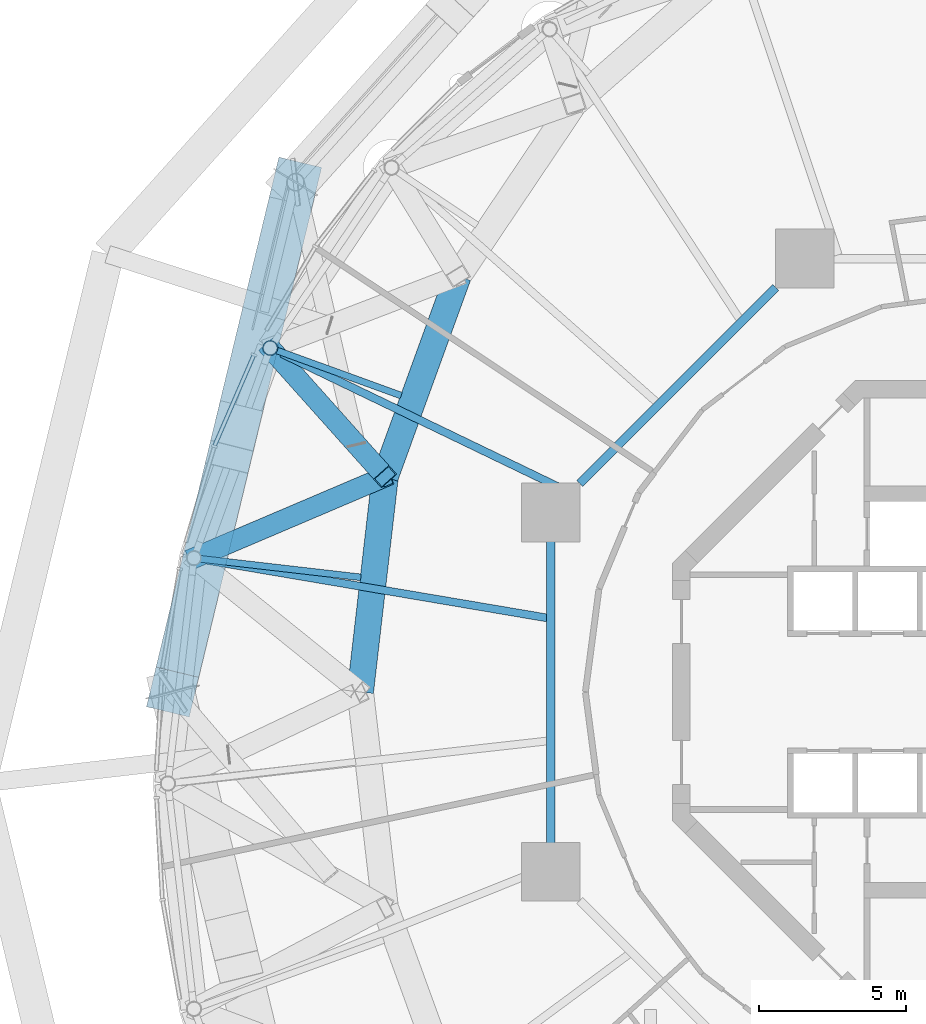
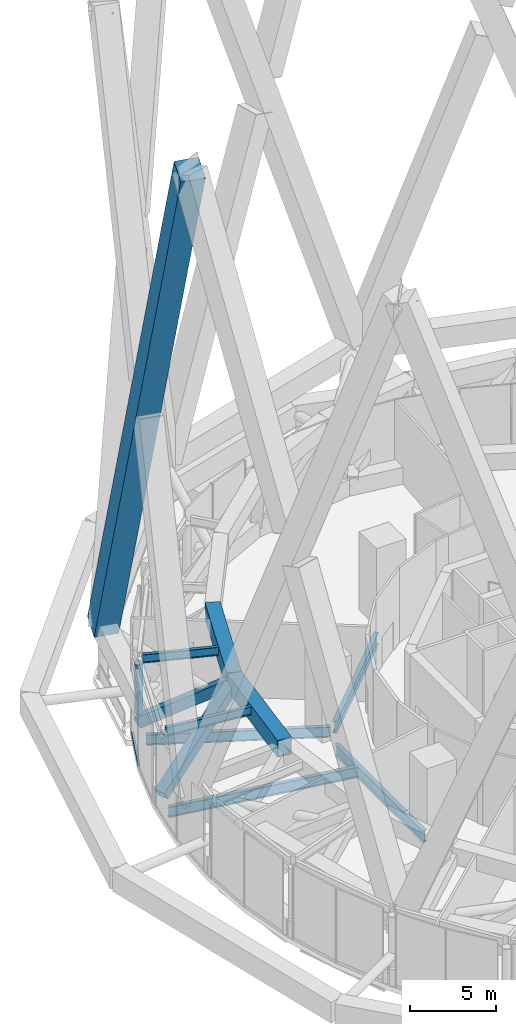
# One storey, part 26 of 49: 10 beams, 3 members, 1 element without a shape of its own.
"""IFC4 building model written with IfcOpenShell, lengths in metres."""

from ifc_helpers import new_model, si_unit, direction, frame, origin, origin_2d, place, context, subcontext, project, spatial, rectangle, hollow_rectangle, hollow_circle, i_section, extrude, material, layer, layer_set, material_profile, profile_set, type_object, element, aggregate, save


model = new_model("IFC4")

# Units and contexts
model_context = context("Model", 3, precision=1e-05, world=origin(), true_north=direction((0.0, 1.0)))
body_context = subcontext(model_context, "Body", "Model", "MODEL_VIEW")
ifc_project = project(units=[si_unit("LENGTHUNIT", "METRE"), si_unit("AREAUNIT", "SQUARE_METRE"), si_unit("VOLUMEUNIT", "CUBIC_METRE"), si_unit("PLANEANGLEUNIT", "RADIAN"), si_unit("MASSUNIT", "GRAM", prefix="KILO")], contexts=[model_context])

# Site, building, storey
site_placement = place(None, origin())
site = spatial("IfcSite", under=ifc_project, at=site_placement, CompositionType="ELEMENT")
building_placement = place(site_placement, origin())
building = spatial("IfcBuilding", under=site, at=building_placement, Name="Nagisa Residences", CompositionType="ELEMENT")
storey_placement = place(building_placement, frame((0.0, 0.0, 160.300048828125)))
storey = spatial("IfcBuildingStorey", under=building, at=storey_placement, Name="L40", CompositionType="ELEMENT", Elevation=160.300048828125)

# Beams
ifc_material_1 = material(Name="Steel ASTM A572 Gr 50", Category="steel")
ifc_material_profile_1 = material_profile(ifc_material_1, hollow_rectangle(XDim=0.89990234375, YDim=1.199951171875, WallThickness=0.044921875, at=origin_2d()), Name="BX 900x1200x45")
ifc_profile_set_1 = profile_set([ifc_material_profile_1], Name="Steel ASTM A572 Gr 50")
beam_type_1 = type_object("IfcBeamType", Name="Belt chord 3 BX 900x1200x45", PredefinedType="BEAM", material=ifc_profile_set_1)
beam_1_placement = place(storey_placement, frame((-17.9423828125, 14.1875, 4.739990234375), z_axis=(-0.341325710829, -0.939945083038, 0.0), x_axis=(0.939945083038, -0.341325710829, 0.0)))
element("IfcBeam", 1, at=beam_1_placement, inside=storey, type_object=beam_type_1, Name="beam:L40:bt3t11", PredefinedType="BEAM", context=body_context, shape_type="SweptSolid", body=[
    extrude(hollow_rectangle(XDim=0.89990234375, YDim=1.199951171875, WallThickness=0.044921875, at=origin_2d()), origin(), (0.0, 0.0, 1.0), 7.28076171875),
])
beam_2_placement = place(storey_placement, frame((-20.427490234375, 7.343994140625, 4.739990234375), z_axis=(-0.114627868433, -0.993408501966, 0.0), x_axis=(0.993408501966, -0.114627868433, 0.0)))
element("IfcBeam", 2, at=beam_2_placement, inside=storey, type_object=beam_type_1, Name="beam:L40:bt3t12", PredefinedType="BEAM", context=body_context, shape_type="SweptSolid", body=[
    extrude(hollow_rectangle(XDim=0.89990234375, YDim=1.199951171875, WallThickness=0.044921875, at=origin_2d()), origin(), (0.0, 0.0, 1.0), 7.392822265625),
])
ifc_material_2 = material(Name="Steel ASTM A572 Gr 50", Category="steel")
ifc_material_profile_2 = material_profile(ifc_material_2, hollow_rectangle(XDim=0.699951171875, YDim=0.699951171875, WallThickness=0.0400390625, at=origin_2d()), Name="BX 700x700x40")
ifc_profile_set_2 = profile_set([ifc_material_profile_2], Name="Steel ASTM A572 Gr 50")
beam_type_2 = type_object("IfcBeamType", Name="Belt diagonal 3 BX 700x700x40", PredefinedType="BEAM", material=ifc_profile_set_2)
beam_3_placement = place(storey_placement, frame((-24.346923828125, 11.729736328125, 0.599853515625), z_axis=(0.544905134759, -0.609734386497, 0.575588717781), x_axis=(0.745634160877, 0.666355534331, 0.0)))
element("IfcBeam", 3, at=beam_3_placement, inside=storey, type_object=beam_type_2, Name="beam:L40:bt3db11", PredefinedType="BEAM", context=body_context, shape_type="SweptSolid", body=[
    extrude(hollow_rectangle(XDim=0.699951171875, YDim=0.699951171875, WallThickness=0.0400390625, at=origin_2d()), origin(), (0.0, 0.0, 1.0), 7.19287109375),
])
beam_4_placement = place(storey_placement, frame((-26.947998046875, 4.56787109375, 0.599853515625), z_axis=(0.794448060029, 0.338238314011, 0.504427519918), x_axis=(-0.391727062246, 0.920081468514, 0.0)))
element("IfcBeam", 4, at=beam_4_placement, inside=storey, type_object=beam_type_2, Name="beam:L40:bt3da12", PredefinedType="BEAM", context=body_context, shape_type="SweptSolid", body=[
    extrude(hollow_rectangle(XDim=0.699951171875, YDim=0.699951171875, WallThickness=0.0400390625, at=origin_2d()), origin(), (0.0, 0.0, 1.0), 8.20751953125),
])

# Curtain wall, member
ifc_material_3 = material(Name="Aluminium curtain wall system", Category="aluminium")
ifc_layer = layer(ifc_material_3, 0.159912109375)
ifc_layer_set = layer_set([ifc_layer], Name="CW2 CURTAIN WALL")
curtain_wall_type = type_object("IfcCurtainWallType", Name="CW2 CURTAIN WALL", PredefinedType="NOTDEFINED", material=ifc_layer_set)
curtain_wall_placement = place(storey_placement, origin())
curtain_wall = element("IfcCurtainWall", 5, at=curtain_wall_placement, inside=storey, type_object=curtain_wall_type, Name="cw:CW2:L40:20", PredefinedType="NOTDEFINED")
ifc_material_4 = material(Name="Aluminium", Category="aluminium")
ifc_material_profile_3 = material_profile(ifc_material_4, rectangle(XDim=0.139892578125, YDim=0.179931640625, at=origin_2d()), Name="CW2 TRANSOM 140x180")
ifc_profile_set_3 = profile_set([ifc_material_profile_3], Name="Aluminium")
member_type_1 = type_object("IfcMemberType", Name="CW2 TRANSOM 140x180", PredefinedType="USERDEFINED", material=ifc_profile_set_3)
member_1_placement = place(storey_placement, frame((-24.885498046875, 11.53515625, 0.08984375), z_axis=(-0.397613463802, -0.917553013947, 0.0), x_axis=(0.917553013947, -0.397613463802, 0.0)))
member_1 = element("IfcMember", 6, at=member_1_placement, type_object=member_type_1, Name="CW2 transom", ObjectType="TRANSOM", PredefinedType="USERDEFINED", context=body_context, shape_type="SweptSolid", body=[
    extrude(rectangle(XDim=0.139892578125, YDim=0.179931640625, at=origin_2d()), origin(), (0.0, 0.0, 1.0), 3.410888671875),
])
aggregate(curtain_wall, [member_1])

# Members
ifc_material_5 = material(Name="Concrete C80", Category="concrete")
ifc_material_profile_4 = material_profile(ifc_material_5, rectangle(XDim=1.5, YDim=1.5, at=origin_2d()), Name="C80 1500x1500")
ifc_profile_set_4 = profile_set([ifc_material_profile_4], Name="Concrete C80")
member_type_2 = type_object("IfcMemberType", Name="Cage diagonal 4 C80 1500x1500", PredefinedType="BRACE", material=ifc_profile_set_4)
member_2_placement = place(storey_placement, frame((-23.48486328125, 17.387451171875, 3.699951171875), z_axis=(-0.087368918181, -0.362543085936, 0.927862696187), x_axis=(0.972168676875, -0.234282017456, 0.0)))
element("IfcMember", 7, at=member_2_placement, inside=storey, type_object=member_type_2, Name="mem:L40:cg4d011", PredefinedType="BRACE", context=body_context, shape_type="SweptSolid", body=[
    extrude(rectangle(XDim=1.5, YDim=1.5, at=origin_2d()), origin(), (0.0, 0.0, 1.0), 47.959716796875),
])
ifc_material_6 = material(Name="Steel ASTM A572 Gr 65", Category="steel")
ifc_material_profile_5 = material_profile(ifc_material_6, hollow_circle(Radius=0.25390625, WallThickness=0.02001953125, at=origin_2d()), Name="CHS 508x20")
ifc_profile_set_5 = profile_set([ifc_material_profile_5], Name="Steel ASTM A572 Gr 65")
member_type_3 = type_object("IfcMemberType", Name="Garden edge post CHS 508x20", PredefinedType="POST", material=ifc_profile_set_5)
member_3_placement = place(storey_placement, frame((-24.346923828125, 11.729736328125, 1.199951171875), z_axis=(0.0, 0.0, 1.0), x_axis=(1.0, 0.0, 0.0)))
element("IfcMember", 8, at=member_3_placement, inside=storey, type_object=member_type_3, Name="mem:L40:gp311", PredefinedType="POST", context=body_context, shape_type="SweptSolid", body=[
    extrude(hollow_circle(Radius=0.25390625, WallThickness=0.02001953125, at=origin_2d()), origin(), (0.0, 0.0, 1.0), 3.537109375),
])

# Beams
ifc_material_7 = material(Name="Steel ASTM A572 Gr 50", Category="steel")
ifc_material_profile_6 = material_profile(ifc_material_7, i_section(OverallWidth=0.22802734375, OverallDepth=0.60302734375, WebThickness=0.010498046875, FlangeThickness=0.014892578125, at=origin_2d()), Name="W610x101")
ifc_profile_set_6 = profile_set([ifc_material_profile_6], Name="Steel ASTM A572 Gr 50")
beam_type_3 = type_object("IfcBeamType", Name="Garden radial beam W610x101", PredefinedType="BEAM", material=ifc_profile_set_6)
beam_5_placement = place(storey_placement, frame((-24.126953125, 11.64990234375, 5.038330078125), z_axis=(0.939949551754, -0.341313404596, 0.0), x_axis=(0.341313404596, 0.939949551754, 0.0)))
element("IfcBeam", 9, at=beam_5_placement, inside=storey, type_object=beam_type_3, Name="beam:L40:bt3gr11", PredefinedType="BEAM", context=body_context, shape_type="SweptSolid", body=[
    extrude(i_section(OverallWidth=0.22802734375, OverallDepth=0.60302734375, WebThickness=0.010498046875, FlangeThickness=0.014892578125, at=origin_2d()), origin(), (0.0, 0.0, 1.0), 4.51708984375),
])
beam_6_placement = place(storey_placement, frame((-26.71533203125, 4.541015625, 5.038330078125), z_axis=(0.993408935871, -0.114624107985, 0.0), x_axis=(0.114624107985, 0.993408935871, 0.0)))
element("IfcBeam", 10, at=beam_6_placement, inside=storey, type_object=beam_type_3, Name="beam:L40:bt3gr12", PredefinedType="BEAM", context=body_context, shape_type="SweptSolid", body=[
    extrude(i_section(OverallWidth=0.22802734375, OverallDepth=0.60302734375, WebThickness=0.010498046875, FlangeThickness=0.014892578125, at=origin_2d()), origin(), (0.0, 0.0, 1.0), 5.4951171875),
])
ifc_material_8 = material(Name="Steel ASTM A572 Gr 50", Category="steel")
ifc_material_profile_7 = material_profile(ifc_material_8, i_section(OverallWidth=0.2919921875, OverallDepth=0.8349609375, WebThickness=0.013916015625, FlangeThickness=0.018798828125, at=origin_2d()), Name="W840x176")
ifc_profile_set_7 = profile_set([ifc_material_profile_7], Name="Steel ASTM A572 Gr 50")
beam_type_4 = type_object("IfcBeamType", Name="Inner ring beam W840x176", PredefinedType="BEAM", material=ifc_profile_set_7)
beam_7_placement = place(storey_placement, frame((-7.10888671875, 13.796142578125, -0.767578125), z_axis=(-0.707106781187, -0.707106781187, 0.0), x_axis=(0.707106781187, -0.707106781187, 0.0)))
element("IfcBeam", 11, at=beam_7_placement, inside=storey, type_object=beam_type_4, Name="beam:L40:ib3", PredefinedType="BEAM", context=body_context, shape_type="SweptSolid", body=[
    extrude(i_section(OverallWidth=0.2919921875, OverallDepth=0.8349609375, WebThickness=0.013916015625, FlangeThickness=0.018798828125, at=origin_2d()), origin(), (0.0, 0.0, 1.0), 9.457275390625),
])
beam_8_placement = place(storey_placement, frame((-14.781982421875, 5.142822265625, -0.767578125), z_axis=(0.0, -1.0, 0.0), x_axis=(1.0, 0.0, 0.0)))
element("IfcBeam", 12, at=beam_8_placement, inside=storey, type_object=beam_type_4, Name="beam:L40:ib4", PredefinedType="BEAM", context=body_context, shape_type="SweptSolid", body=[
    extrude(i_section(OverallWidth=0.2919921875, OverallDepth=0.8349609375, WebThickness=0.013916015625, FlangeThickness=0.018798828125, at=origin_2d()), origin(), (0.0, 0.0, 1.0), 10.28564453125),
])
ifc_material_9 = material(Name="Steel ASTM A572 Gr 50", Category="steel")
ifc_material_profile_8 = material_profile(ifc_material_9, i_section(OverallWidth=0.264892578125, OverallDepth=0.7529296875, WebThickness=0.01318359375, FlangeThickness=0.01708984375, at=origin_2d()), Name="W760x147")
ifc_profile_set_8 = profile_set([ifc_material_profile_8], Name="Steel ASTM A572 Gr 50")
beam_type_5 = type_object("IfcBeamType", Name="Radial beam W760x147", PredefinedType="BEAM", material=ifc_profile_set_8)
beam_9_placement = place(storey_placement, frame((-23.95947265625, 11.543212890625, -0.7265625), z_axis=(0.90089528894, -0.434036494278, 0.0), x_axis=(0.434036494278, 0.90089528894, 0.0)))
element("IfcBeam", 13, at=beam_9_placement, inside=storey, type_object=beam_type_5, Name="beam:L40:rb11", PredefinedType="BEAM", context=body_context, shape_type="SweptSolid", body=[
    extrude(i_section(OverallWidth=0.264892578125, OverallDepth=0.7529296875, WebThickness=0.01318359375, FlangeThickness=0.01708984375, at=origin_2d()), origin(), (0.0, 0.0, 1.0), 10.80029296875),
])
beam_10_placement = place(storey_placement, frame((-26.52294921875, 4.495849609375, -0.7265625), z_axis=(0.985935895303, -0.167123937101, 0.0), x_axis=(0.167123937101, 0.985935895303, 0.0)))
element("IfcBeam", 14, at=beam_10_placement, inside=storey, type_object=beam_type_5, Name="beam:L40:rb12", PredefinedType="BEAM", context=body_context, shape_type="SweptSolid", body=[
    extrude(i_section(OverallWidth=0.264892578125, OverallDepth=0.7529296875, WebThickness=0.01318359375, FlangeThickness=0.01708984375, at=origin_2d()), origin(), (0.0, 0.0, 1.0), 11.7802734375),
])

save(model, "model.ifc")
